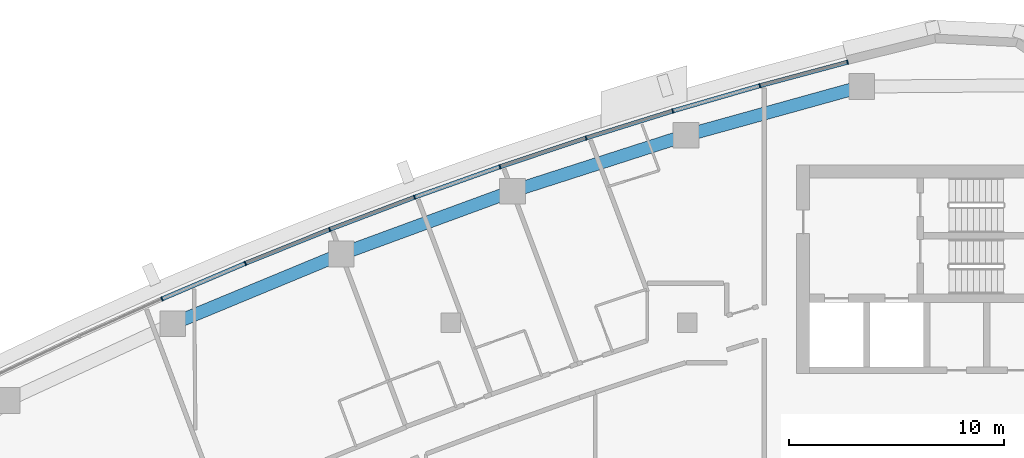
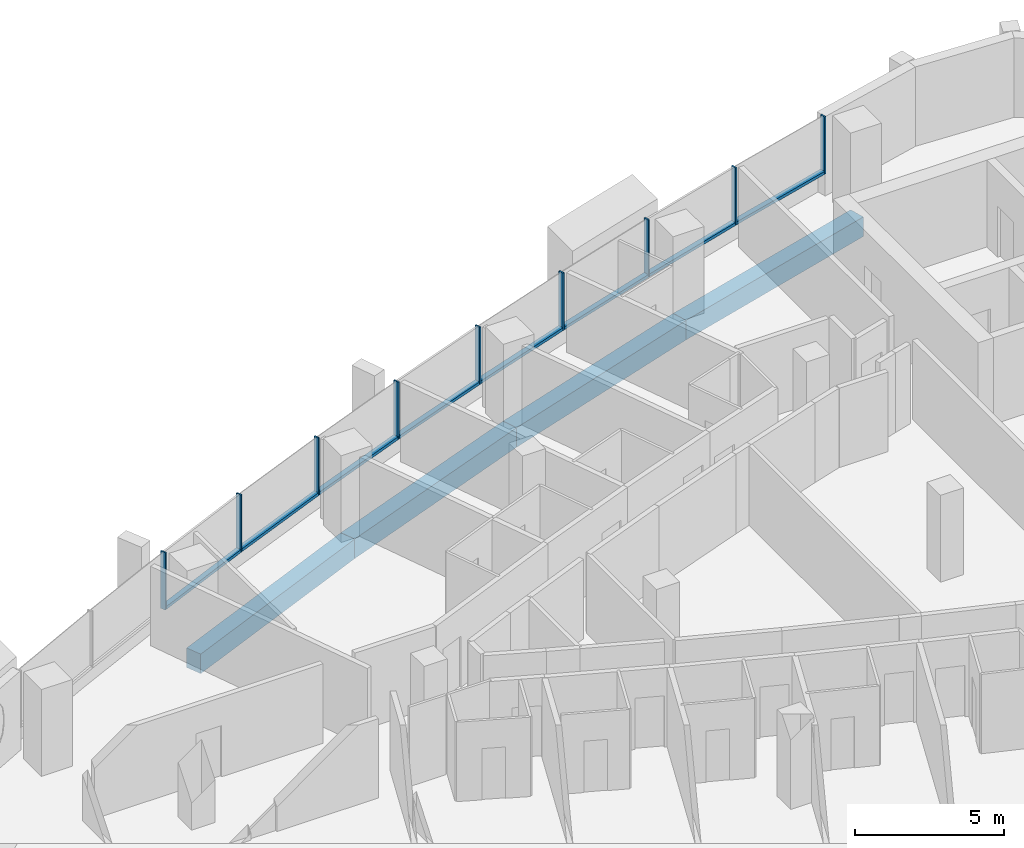
# One storey, part 6 of 16: 17 members, 4 beams, 4 elements without a shape of their own.
"""IFC4 building model written with IfcOpenShell, lengths in metres."""

from ifc_helpers import new_model, si_unit, direction, frame, origin, origin_2d, place, context, subcontext, project, spatial, rectangle, extrude, material, layer, layer_set, material_profile, profile_set, type_object, element, aggregate, save


model = new_model("IFC4")

# Units and contexts
model_context = context("Model", 3, precision=1e-05, world=origin(), true_north=direction((0.0, 1.0)))
body_context = subcontext(model_context, "Body", "Model", "MODEL_VIEW")
ifc_project = project(units=[si_unit("LENGTHUNIT", "METRE"), si_unit("AREAUNIT", "SQUARE_METRE"), si_unit("VOLUMEUNIT", "CUBIC_METRE"), si_unit("PLANEANGLEUNIT", "RADIAN"), si_unit("MASSUNIT", "GRAM", prefix="KILO")], contexts=[model_context])

# Site, building, storey
site_placement = place(None, origin())
site = spatial("IfcSite", under=ifc_project, at=site_placement, CompositionType="ELEMENT")
building_placement = place(site_placement, origin())
building = spatial("IfcBuilding", under=site, at=building_placement, Name="Ostrand Prow Hotel Tower", CompositionType="ELEMENT")
storey_placement = place(building_placement, frame((0.0, 0.0, 249.199951171875)))
storey = spatial("IfcBuildingStorey", under=building, at=storey_placement, Name="L63", CompositionType="ELEMENT", Elevation=249.199951171875)

# Beams
ifc_material_1 = material(Name="Concrete C50/60", Category="concrete")
ifc_material_profile_1 = material_profile(ifc_material_1, rectangle(XDim=0.60009765625, YDim=0.800048828125, at=origin_2d()), Name="RC 600x800")
ifc_profile_set_1 = profile_set([ifc_material_profile_1], Name="Concrete C50/60")
beam_type = type_object("IfcBeamType", Name="Edge beam 600x800 C50/60", PredefinedType="SPANDREL", material=ifc_profile_set_1)
for number, where, z_axis, x_axis, name in (
    (1, (53.12548828125, 19.99951171875, -0.699951171875), (-0.963625802813, -0.267255144297, 0.0), (0.267255144297, -0.963625802813, 0.0), "Edge beam N1-N2"),
    (2, (44.94677734375, 17.731201171875, -0.699951171875), (-0.95193933362, -0.306286638798, 0.0), (0.306286638798, -0.95193933362, 0.0), "Edge beam N2-N3"),
    (3, (36.8671875, 15.131591796875, -0.699951171875), (-0.938684959139, -0.344776083113, 0.0), (0.344776083113, -0.938684959139, 0.0), "Edge beam N3-N4"),
    (4, (28.900146484375, 12.205322265625, -0.699951171875), (-0.923890977326, -0.38265580097, 0.0), (0.38265580097, -0.923890977326, 0.0), "Edge beam N4-N5"),
):
    element("IfcBeam", number, at=place(storey_placement, frame(where, z_axis=z_axis, x_axis=x_axis)), inside=storey, type_object=beam_type, Name=name, PredefinedType="SPANDREL", context=body_context, shape_type="SweptSolid", body=[
        extrude(rectangle(XDim=0.60009765625, YDim=0.800048828125, at=origin_2d()), origin(), (0.0, 0.0, 1.0), 8.487548828125),
    ])

# Curtain wall, members
ifc_material_2 = material(Name="Insulated glass in bronze anodised frame", Category="glass")
ifc_layer = layer(ifc_material_2, 0.199951171875)
ifc_layer_set = layer_set([ifc_layer], Name="Insulated glass in bronze anodised frame")
curtain_wall_type = type_object("IfcCurtainWallType", Name="Strip curtain wall, fritted glass over bronze spandrel", PredefinedType="NOTDEFINED", material=ifc_layer_set)
curtain_wall_1_placement = place(storey_placement, origin())
curtain_wall_1 = element("IfcCurtainWall", 5, at=curtain_wall_1_placement, inside=storey, type_object=curtain_wall_type, Name="CW1 run CWN1", PredefinedType="NOTDEFINED")
ifc_material_3 = material(Name="Bronze anodised aluminium", Category="aluminium")
ifc_material_profile_2 = material_profile(ifc_material_3, rectangle(XDim=0.199951171875, YDim=0.06005859375, at=origin_2d()), Name="Mullion 60x200 bronze anodised aluminium")
ifc_profile_set_2 = profile_set([ifc_material_profile_2], Name="Bronze anodised aluminium")
member_type_1 = type_object("IfcMemberType", Name="Mullion 60x200 bronze anodised aluminium", PredefinedType="MULLION", material=ifc_profile_set_2)
member_1_placement = place(storey_placement, frame((52.465576171875, 21.1328125, 0.900146484375), z_axis=(0.0, 0.0, 1.0), x_axis=(0.258994370132, -0.965878831034, 0.0)))
member_1 = element("IfcMember", 6, at=member_1_placement, type_object=member_type_1, Name="CW1 mullion 1", PredefinedType="MULLION", context=body_context, shape_type="SweptSolid", body=[
    extrude(rectangle(XDim=0.199951171875, YDim=0.06005859375, at=origin_2d()), origin(), (0.0, 0.0, 1.0), 2.349853515625),
])
member_2_placement = place(storey_placement, frame((48.385986328125, 20.038818359375, 0.900146484375), z_axis=(0.0, 0.0, 1.0), x_axis=(0.27839270969, -0.960467333745, 0.0)))
member_2 = element("IfcMember", 7, at=member_2_placement, type_object=member_type_1, Name="CW1 mullion 2", PredefinedType="MULLION", context=body_context, shape_type="SweptSolid", body=[
    extrude(rectangle(XDim=0.199951171875, YDim=0.06005859375, at=origin_2d()), origin(), (0.0, 0.0, 1.0), 2.349853515625),
])
member_3_placement = place(storey_placement, frame((44.3291015625, 18.863037109375, 0.900146484375), z_axis=(0.0, 0.0, 1.0), x_axis=(0.27839270969, -0.960467333745, 0.0)))
member_3 = element("IfcMember", 8, at=member_3_placement, type_object=member_type_1, Name="CW1 mullion 3", PredefinedType="MULLION", context=body_context, shape_type="SweptSolid", body=[
    extrude(rectangle(XDim=0.199951171875, YDim=0.06005859375, at=origin_2d()), origin(), (0.0, 0.0, 1.0), 2.349853515625),
])

curtain_wall_2_placement = place(storey_placement, origin())
curtain_wall_2 = element("IfcCurtainWall", 9, at=curtain_wall_2_placement, inside=storey, type_object=curtain_wall_type, Name="CW1 run CWN2", PredefinedType="NOTDEFINED")
member_4_placement = place(storey_placement, frame((40.297119140625, 17.605712890625, 0.900146484375), z_axis=(0.0, 0.0, 1.0), x_axis=(0.31684118017, -0.948478606268, 0.0)))
member_4 = element("IfcMember", 10, at=member_4_placement, type_object=member_type_1, Name="CW1 mullion 2", PredefinedType="MULLION", context=body_context, shape_type="SweptSolid", body=[
    extrude(rectangle(XDim=0.199951171875, YDim=0.06005859375, at=origin_2d()), origin(), (0.0, 0.0, 1.0), 2.349853515625),
])
member_5_placement = place(storey_placement, frame((36.291015625, 16.267578125, 0.900146484375), z_axis=(0.0, 0.0, 1.0), x_axis=(0.31684118017, -0.948478606268, 0.0)))
member_5 = element("IfcMember", 11, at=member_5_placement, type_object=member_type_1, Name="CW1 mullion 3", PredefinedType="MULLION", context=body_context, shape_type="SweptSolid", body=[
    extrude(rectangle(XDim=0.199951171875, YDim=0.06005859375, at=origin_2d()), origin(), (0.0, 0.0, 1.0), 2.349853515625),
])

curtain_wall_3_placement = place(storey_placement, origin())
curtain_wall_3 = element("IfcCurtainWall", 12, at=curtain_wall_3_placement, inside=storey, type_object=curtain_wall_type, Name="CW1 run CWN3", PredefinedType="NOTDEFINED")
member_6_placement = place(storey_placement, frame((32.3125, 14.848876953125, 0.900146484375), z_axis=(0.0, 0.0, 1.0), x_axis=(0.354777361469, -0.934950813567, 0.0)))
member_6 = element("IfcMember", 13, at=member_6_placement, type_object=member_type_1, Name="CW1 mullion 2", PredefinedType="MULLION", context=body_context, shape_type="SweptSolid", body=[
    extrude(rectangle(XDim=0.199951171875, YDim=0.06005859375, at=origin_2d()), origin(), (0.0, 0.0, 1.0), 2.349853515625),
])
member_7_placement = place(storey_placement, frame((28.363525390625, 13.350341796875, 0.900146484375), z_axis=(0.0, 0.0, 1.0), x_axis=(0.354777361469, -0.934950813567, 0.0)))
member_7 = element("IfcMember", 14, at=member_7_placement, type_object=member_type_1, Name="CW1 mullion 3", PredefinedType="MULLION", context=body_context, shape_type="SweptSolid", body=[
    extrude(rectangle(XDim=0.199951171875, YDim=0.06005859375, at=origin_2d()), origin(), (0.0, 0.0, 1.0), 2.349853515625),
])

curtain_wall_4_placement = place(storey_placement, origin())
curtain_wall_4 = element("IfcCurtainWall", 15, at=curtain_wall_4_placement, inside=storey, type_object=curtain_wall_type, Name="CW1 run CWN4", PredefinedType="NOTDEFINED")
member_8_placement = place(storey_placement, frame((24.445556640625, 11.772705078125, 0.900146484375), z_axis=(0.0, 0.0, 1.0), x_axis=(0.392136433347, -0.919907070112, 0.0)))
member_8 = element("IfcMember", 16, at=member_8_placement, type_object=member_type_1, Name="CW1 mullion 2", PredefinedType="MULLION", context=body_context, shape_type="SweptSolid", body=[
    extrude(rectangle(XDim=0.199951171875, YDim=0.06005859375, at=origin_2d()), origin(), (0.0, 0.0, 1.0), 2.349853515625),
])
member_9_placement = place(storey_placement, frame((20.56005859375, 10.116455078125, 0.900146484375), z_axis=(0.0, 0.0, 1.0), x_axis=(0.392136433347, -0.919907070112, 0.0)))
member_9 = element("IfcMember", 17, at=member_9_placement, type_object=member_type_1, Name="CW1 mullion 3", PredefinedType="MULLION", context=body_context, shape_type="SweptSolid", body=[
    extrude(rectangle(XDim=0.199951171875, YDim=0.06005859375, at=origin_2d()), origin(), (0.0, 0.0, 1.0), 2.349853515625),
])

# Member
ifc_material_4 = material(Name="Bronze anodised aluminium", Category="aluminium")
ifc_material_profile_3 = material_profile(ifc_material_4, rectangle(XDim=0.199951171875, YDim=0.1201171875, at=origin_2d()), Name="Transom 120x200 bronze anodised aluminium")
ifc_profile_set_3 = profile_set([ifc_material_profile_3], Name="Bronze anodised aluminium")
member_type_2 = type_object("IfcMemberType", Name="Transom 120x200 bronze anodised aluminium", PredefinedType="USERDEFINED", material=ifc_profile_set_3)
member_10_placement = place(storey_placement, frame((52.4365234375, 21.125, 0.9599609375), z_axis=(-0.96587683346, -0.259001819657, 0.0), x_axis=(0.259001819657, -0.96587683346, 0.0)))
member_10 = element("IfcMember", 18, at=member_10_placement, type_object=member_type_2, Name="CW1 transom 1.1", ObjectType="TRANSOM", PredefinedType="USERDEFINED", context=body_context, shape_type="SweptSolid", body=[
    extrude(rectangle(XDim=0.199951171875, YDim=0.1201171875, at=origin_2d()), origin(), (0.0, 0.0, 1.0), 4.16357421875),
])

member_11_placement = place(storey_placement, frame((48.357177734375, 20.030517578125, 0.9599609375), z_axis=(-0.960468183791, -0.278389776976, 0.0), x_axis=(0.278389776976, -0.960468183791, 0.0)))
member_11 = element("IfcMember", 19, at=member_11_placement, type_object=member_type_2, Name="CW1 transom 2.1", ObjectType="TRANSOM", PredefinedType="USERDEFINED", context=body_context, shape_type="SweptSolid", body=[
    extrude(rectangle(XDim=0.199951171875, YDim=0.1201171875, at=origin_2d()), origin(), (0.0, 0.0, 1.0), 4.163818359375),
])

aggregate(curtain_wall_1, [member_1, member_2, member_3, member_10, member_11])

member_12_placement = place(storey_placement, frame((44.300537109375, 18.85400390625, 0.9599609375), z_axis=(-0.954676966691, -0.297643896746, 0.0), x_axis=(0.297643896746, -0.954676966691, 0.0)))
member_12 = element("IfcMember", 20, at=member_12_placement, type_object=member_type_2, Name="CW1 transom 1.1", ObjectType="TRANSOM", PredefinedType="USERDEFINED", context=body_context, shape_type="SweptSolid", body=[
    extrude(rectangle(XDim=0.199951171875, YDim=0.1201171875, at=origin_2d()), origin(), (0.0, 0.0, 1.0), 4.16357421875),
])

member_13_placement = place(storey_placement, frame((40.2685546875, 17.59619140625, 0.9599609375), z_axis=(-0.948489622939, -0.316808199353, 0.0), x_axis=(0.316808199353, -0.948489622939, 0.0)))
member_13 = element("IfcMember", 21, at=member_13_placement, type_object=member_type_2, Name="CW1 transom 2.1", ObjectType="TRANSOM", PredefinedType="USERDEFINED", context=body_context, shape_type="SweptSolid", body=[
    extrude(rectangle(XDim=0.199951171875, YDim=0.1201171875, at=origin_2d()), origin(), (0.0, 0.0, 1.0), 4.16357421875),
])

aggregate(curtain_wall_2, [member_4, member_5, member_12, member_13])

member_14_placement = place(storey_placement, frame((36.2626953125, 16.25732421875, 0.9599609375), z_axis=(-0.941911594104, -0.335860907061, 0.0), x_axis=(0.335860907061, -0.941911594104, 0.0)))
member_14 = element("IfcMember", 22, at=member_14_placement, type_object=member_type_2, Name="CW1 transom 1.1", ObjectType="TRANSOM", PredefinedType="USERDEFINED", context=body_context, shape_type="SweptSolid", body=[
    extrude(rectangle(XDim=0.199951171875, YDim=0.1201171875, at=origin_2d()), origin(), (0.0, 0.0, 1.0), 4.163818359375),
])

member_15_placement = place(storey_placement, frame((32.284423828125, 14.838134765625, 0.9599609375), z_axis=(-0.934960644813, -0.354751451936, 0.0), x_axis=(0.354751451936, -0.934960644813, 0.0)))
member_15 = element("IfcMember", 23, at=member_15_placement, type_object=member_type_2, Name="CW1 transom 2.1", ObjectType="TRANSOM", PredefinedType="USERDEFINED", context=body_context, shape_type="SweptSolid", body=[
    extrude(rectangle(XDim=0.199951171875, YDim=0.1201171875, at=origin_2d()), origin(), (0.0, 0.0, 1.0), 4.16357421875),
])

aggregate(curtain_wall_3, [member_6, member_7, member_14, member_15])

member_16_placement = place(storey_placement, frame((28.335693359375, 13.339111328125, 0.9599609375), z_axis=(-0.927625049372, -0.373512741119, 0.0), x_axis=(0.373512741119, -0.927625049372, 0.0)))
member_16 = element("IfcMember", 24, at=member_16_placement, type_object=member_type_2, Name="CW1 transom 1.1", ObjectType="TRANSOM", PredefinedType="USERDEFINED", context=body_context, shape_type="SweptSolid", body=[
    extrude(rectangle(XDim=0.199951171875, YDim=0.1201171875, at=origin_2d()), origin(), (0.0, 0.0, 1.0), 4.16357421875),
])

member_17_placement = place(storey_placement, frame((24.41796875, 11.760986328125, 0.9599609375), z_axis=(-0.919904541337, -0.392142365509, 0.0), x_axis=(0.392142365509, -0.919904541337, 0.0)))
member_17 = element("IfcMember", 25, at=member_17_placement, type_object=member_type_2, Name="CW1 transom 2.1", ObjectType="TRANSOM", PredefinedType="USERDEFINED", context=body_context, shape_type="SweptSolid", body=[
    extrude(rectangle(XDim=0.199951171875, YDim=0.1201171875, at=origin_2d()), origin(), (0.0, 0.0, 1.0), 4.163818359375),
])

aggregate(curtain_wall_4, [member_8, member_9, member_16, member_17])

save(model, "model.ifc")
